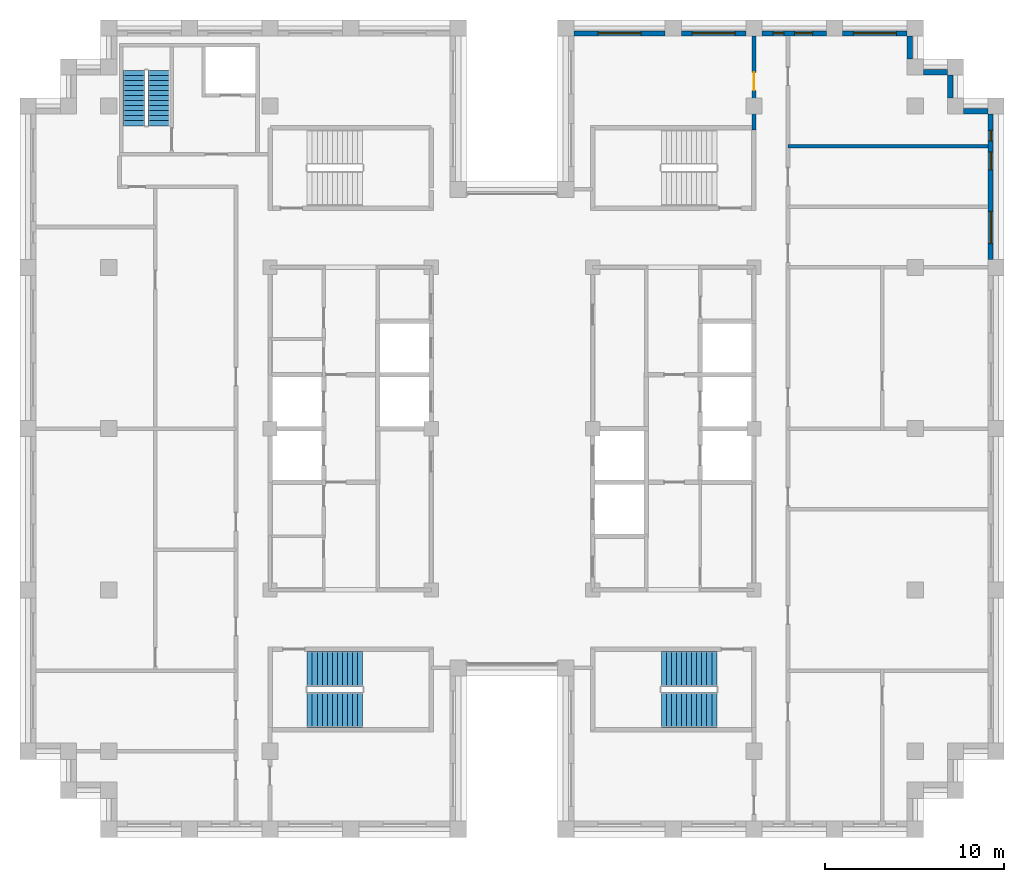
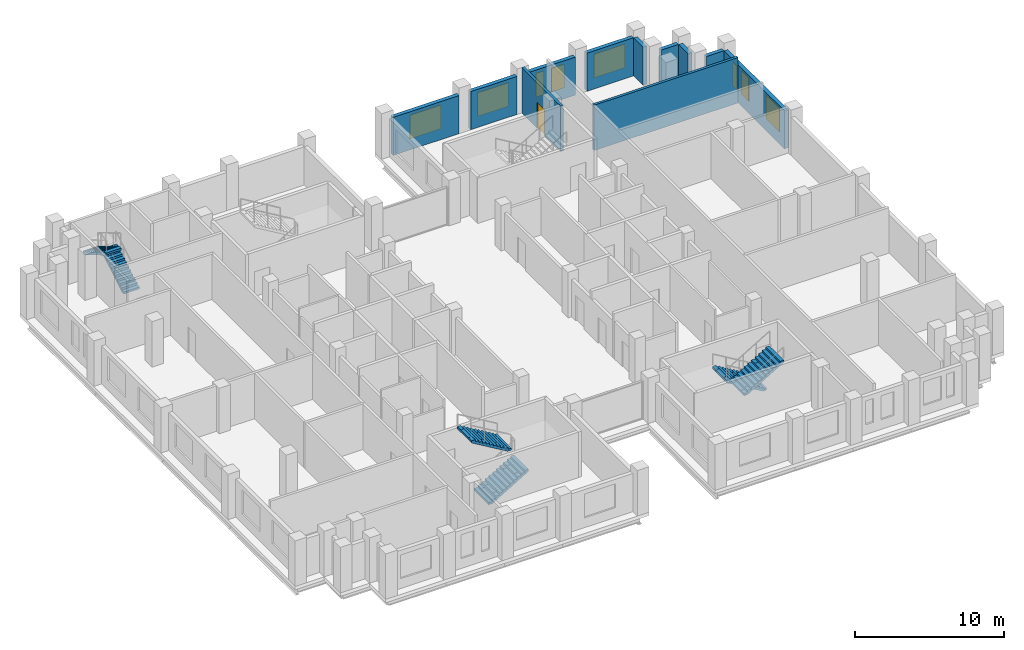
# One storey, part 11 of 13: 11 walls, 8 windows, 6 stair flights, 1 door, 9 openings, 3 elements without a shape of their own.
"""IFC4 building model written with IfcOpenShell, lengths in metres."""

import ifcopenshell
import ifcopenshell.guid

model = None  # the IFC model being written
_history = None  # IfcOwnerHistory: only IFC2X3 demands one
_inside = {}  # id of a spatial element -> (the spatial element, [elements in it])
_under = {}  # id of a project, library or spatial element -> (it, [spatial elements below it])
_declared = {}  # id of a project -> (the project, [libraries it declares])
_typed = {}  # id of a type object -> (the type object, [elements of that type])
_made_of = {}  # id of a material, layer set ... -> (it, [elements and type objects made of it])


def new_model(schema):
    """Start an empty IFC model of exactly this schema.

    Asked for "IFC4X3", IfcOpenShell would pick the latest addendum, in which some entities
    have other attributes; the version numbers below select the first issue.
    IFC2X3 requires an IfcOwnerHistory on every rooted entity: one is made here for all.
    """
    global model, _history
    if schema == "IFC4X3":
        model = ifcopenshell.file(schema_version=(4, 3, 0, 0))
    else:
        model = ifcopenshell.file(schema=schema)
    _inside.clear()
    _under.clear()
    _declared.clear()
    _typed.clear()
    _made_of.clear()
    _history = None
    if model.schema == "IFC2X3":
        org = make("IfcOrganization", Name="unknown")
        user = make(
            "IfcPersonAndOrganization",
            ThePerson=make("IfcPerson", FamilyName="unknown"),
            TheOrganization=org,
        )
        app = make(
            "IfcApplication",
            ApplicationDeveloper=org,
            Version="unknown",
            ApplicationFullName="unknown",
            ApplicationIdentifier="unknown",
        )
        _history = make(
            "IfcOwnerHistory",
            OwningUser=user,
            OwningApplication=app,
            ChangeAction="ADDED",
            CreationDate=0,
        )
    return model


def make(cls, **values):
    """One entity of the class cls with the attributes given. An attribute that is None is left unset."""
    return model.create_entity(
        cls, **{name: value for name, value in values.items() if value is not None}
    )


def rooted(cls, **values):
    """An entity with a GlobalId (a new one), such as an element, a storey or a relation."""
    return make(cls, GlobalId=ifcopenshell.guid.new(), OwnerHistory=_history, **values)


def si_unit(unit_type, name, prefix=None):
    """IfcSIUnit, for example si_unit("LENGTHUNIT", "METRE", prefix="MILLI")."""
    return make("IfcSIUnit", UnitType=unit_type, Prefix=prefix, Name=name)


def assignment(units):
    """IfcUnitAssignment: the units of a project."""
    return None if units is None else make("IfcUnitAssignment", Units=units)


def point(xyz):
    """IfcCartesianPoint."""
    return None if xyz is None else make("IfcCartesianPoint", Coordinates=xyz)


def direction(xyz):
    """IfcDirection."""
    return None if xyz is None else make("IfcDirection", DirectionRatios=xyz)


def frame(location, z_axis=None, x_axis=None):
    """IfcAxis2Placement3D, a coordinate frame: its origin and axes. An axis left out is left unset."""
    return make(
        "IfcAxis2Placement3D",
        Location=point(location),
        Axis=direction(z_axis),
        RefDirection=direction(x_axis),
    )


def frame_2d(location, x_axis=None):
    """IfcAxis2Placement2D, a coordinate frame in the plane: its origin and x axis."""
    return make(
        "IfcAxis2Placement2D", Location=point(location), RefDirection=direction(x_axis)
    )


def origin():
    """The frame at (0, 0, 0) with its axes left unset."""
    return frame((0.0, 0.0, 0.0))


def place(relative_to, where):
    """IfcLocalPlacement: puts the frame where relative to a parent placement (None: the world)."""
    return make(
        "IfcLocalPlacement", PlacementRelTo=relative_to, RelativePlacement=where
    )


def context(
    kind, dimensions, precision=None, world=None, true_north=None, identifier=None
):
    """IfcGeometricRepresentationContext, for example the 3D "Model" context."""
    return make(
        "IfcGeometricRepresentationContext",
        ContextIdentifier=identifier,
        ContextType=kind,
        CoordinateSpaceDimension=dimensions,
        Precision=precision,
        WorldCoordinateSystem=world,
        TrueNorth=true_north,
    )


def subcontext(parent, identifier, kind, view, scale=None):
    """IfcGeometricRepresentationSubContext, for example "Body" below "Model"."""
    return make(
        "IfcGeometricRepresentationSubContext",
        ContextIdentifier=identifier,
        ContextType=kind,
        ParentContext=parent,
        TargetScale=scale,
        TargetView=view,
    )


def project(units=None, contexts=None):
    """IfcProject with its units and contexts."""
    return rooted(
        "IfcProject",
        Name="project",
        RepresentationContexts=contexts,
        UnitsInContext=assignment(units),
    )


def spatial(cls, under=None, at=None, **own):
    """A site, building, storey or space (cls), placed at a placement, below another one or the project."""
    s = rooted(cls, ObjectPlacement=at, **own)
    if under is not None:
        _under.setdefault(under.id(), (under, []))[1].append(s)
    return s


def polyline(points):
    """IfcPolyline through the points."""
    return make("IfcPolyline", Points=[point(p) for p in points])


def profile(cls, at=None, kind="AREA", **sizes):
    """A parametric profile (cls). Its sizes go by their IFC names, for example OverallWidth=200.0."""
    return make(cls, ProfileType=kind, Position=at, **sizes)


def rectangle(**sizes):
    """IfcRectangleProfileDef."""
    return profile("IfcRectangleProfileDef", **sizes)


def outline(outer, holes=None, kind="AREA"):
    """IfcArbitraryClosedProfileDef: a profile drawn as a closed curve; with holes, ...WithVoids."""
    if holes is None:
        return make("IfcArbitraryClosedProfileDef", ProfileType=kind, OuterCurve=outer)
    return make(
        "IfcArbitraryProfileDefWithVoids",
        ProfileType=kind,
        OuterCurve=outer,
        InnerCurves=holes,
    )


def extrude(swept, where, along, depth):
    """IfcExtrudedAreaSolid: the profile swept, set in the frame where, extruded along a direction by depth."""
    return make(
        "IfcExtrudedAreaSolid",
        SweptArea=swept,
        Position=where,
        ExtrudedDirection=direction(along),
        Depth=depth,
    )


def shape(context_of_items, identifier, shape_type, items):
    """IfcShapeRepresentation: the items that make up one representation, for example the "Body"."""
    return make(
        "IfcShapeRepresentation",
        ContextOfItems=context_of_items,
        RepresentationIdentifier=identifier,
        RepresentationType=shape_type,
        Items=items,
    )


def material(Name=None, Category=None):
    """IfcMaterial."""
    return make("IfcMaterial", Name=Name, Category=Category)


def layer(
    of_material, thickness, ventilated=None, Name=None, Category=None, Priority=None
):
    """IfcMaterialLayer: one layer of a wall or slab, of a material (None: an air gap)."""
    return make(
        "IfcMaterialLayer",
        Material=of_material,
        LayerThickness=thickness,
        IsVentilated=ventilated,
        Name=Name,
        Category=Category,
        Priority=Priority,
    )


def layer_set(layers, Name=None):
    """IfcMaterialLayerSet."""
    return make("IfcMaterialLayerSet", MaterialLayers=layers, LayerSetName=Name)


def made_of(thing, what):
    """Note that an element or type object is made of a material, layer set ...; save() writes the relation."""
    if what is not None:
        _made_of.setdefault(what.id(), (what, []))[1].append(thing)
    return thing


def type_object(cls, material=None, **own):
    """A type object (cls), such as IfcWallType, which elements share."""
    return made_of(rooted(cls, **own), material)


def element(
    cls,
    number,
    at=None,
    inside=None,
    cuts=None,
    type_object=None,
    material=None,
    context=None,
    identifier="Body",
    shape_type=None,
    held_by="IfcProductDefinitionShape",
    body=None,
    shapes=None,
    **own,
):
    """One element of the class cls, such as IfcWall. Its Tag is "e" and its number.

    at: its placement. inside: the storey or other place that contains it. cuts: it is an
    opening in that element (IfcRelVoidsElement). A single representation is given by context,
    identifier, shape_type and body (its items); several are given by shapes. held_by: the class
    of the entity that holds the representations. save() writes the other relations.
    """
    e = rooted(cls, Tag="e%d" % number, ObjectPlacement=at, **own)
    if body is not None:
        shapes = [shape(context, identifier, shape_type, body)]
    if shapes is not None:
        e.Representation = make(held_by, Representations=shapes)
    if inside is not None:
        _inside.setdefault(inside.id(), (inside, []))[1].append(e)
    if cuts is not None:
        rooted(
            "IfcRelVoidsElement", RelatingBuildingElement=cuts, RelatedOpeningElement=e
        )
    if type_object is not None:
        _typed.setdefault(type_object.id(), (type_object, []))[1].append(e)
    return made_of(e, material)


def fill(opening, filler):
    """IfcRelFillsElement: the door or window that sits in an opening."""
    return rooted(
        "IfcRelFillsElement",
        RelatingOpeningElement=opening,
        RelatedBuildingElement=filler,
    )


def aggregate(whole, parts):
    """IfcRelAggregates: a whole, such as a stair, and the parts it consists of."""
    return rooted("IfcRelAggregates", RelatingObject=whole, RelatedObjects=parts)


def save(model, path):
    """Write the relations noted so far, then the file.

    IfcRelAggregates (storeys below a building ...), IfcRelContainedInSpatialStructure (elements
    in a storey), IfcRelDefinesByType, IfcRelAssociatesMaterial and IfcRelDeclares: one each for
    every whole, place, type object, material and project.
    """
    for whole, parts in _under.values():
        aggregate(whole, parts)
    for where, things in _inside.values():
        rooted(
            "IfcRelContainedInSpatialStructure",
            RelatedElements=things,
            RelatingStructure=where,
        )
    for kind, things in _typed.values():
        rooted("IfcRelDefinesByType", RelatedObjects=things, RelatingType=kind)
    for what, things in _made_of.values():
        rooted("IfcRelAssociatesMaterial", RelatedObjects=things, RelatingMaterial=what)
    for by, libraries in _declared.values():
        rooted("IfcRelDeclares", RelatingContext=by, RelatedDefinitions=libraries)
    model.write(path)


model = new_model("IFC4")

# Units and contexts
model_context = context("Model", 3, precision=1e-05, world=origin(), true_north=direction((0.0, 1.0)))
body_context = subcontext(model_context, "Body", "Model", "MODEL_VIEW")
ifc_project = project(units=[si_unit("LENGTHUNIT", "METRE"), si_unit("AREAUNIT", "SQUARE_METRE"), si_unit("VOLUMEUNIT", "CUBIC_METRE"), si_unit("PLANEANGLEUNIT", "RADIAN"), si_unit("MASSUNIT", "GRAM", prefix="KILO")], contexts=[model_context])

# Site, building, storey
site_placement = place(None, origin())
site = spatial("IfcSite", under=ifc_project, at=site_placement, CompositionType="ELEMENT")
building_placement = place(site_placement, origin())
building = spatial("IfcBuilding", under=site, at=building_placement, Name="Corbelhall Arena Tower", CompositionType="ELEMENT")
storey_placement = place(building_placement, frame((0.0, 0.0, 258.0)))
storey = spatial("IfcBuildingStorey", under=building, at=storey_placement, Name="L55", CompositionType="ELEMENT", Elevation=258.0)

# Wall, openings, windows
ifc_material_1 = material(Name="Precast concrete C40/50 with granite facing", Category="masonry")
ifc_layer_1 = layer(ifc_material_1, 0.300048828125)
ifc_layer_set_1 = layer_set([ifc_layer_1], Name="EV-IW1 Infill panel 300")
wall_type_1 = type_object("IfcWallType", Name="EV-IW1 Infill panel 300", PredefinedType="SOLIDWALL", material=ifc_layer_set_1)
wall_1_placement = place(storey_placement, frame((26.699951171875, 9.449951171875, 0.0), z_axis=(0.0, 0.0, 1.0), x_axis=(0.0, 1.0, 0.0)))
wall_1 = element("IfcWall", 1, at=wall_1_placement, inside=storey, type_object=wall_type_1, Name="Infill panel IW1", PredefinedType="SOLIDWALL", context=body_context, shape_type="SweptSolid", body=[
    extrude(rectangle(XDim=8.10009765625, YDim=0.300048828125, at=frame_2d((4.050048828125, 0.0))), origin(), (0.0, 0.0, 1.0), 3.1201171875),
])
opening_1_placement = place(wall_1_placement, frame((0.875, 0.0, 0.800048828125)))
opening_1 = element("IfcOpeningElement", 2, at=opening_1_placement, cuts=wall_1, Name="Opening WN8", PredefinedType="OPENING", context=body_context, shape_type="SweptSolid", body=[
    extrude(rectangle(XDim=1.800048828125, YDim=1.949951171875, at=frame_2d((0.89990234375, 0.97509765625))), frame((0.0, 0.14990234375, 0.0), z_axis=(0.0, -1.0, 0.0), x_axis=(1.0, 0.0, 0.0)), (0.0, 0.0, 1.0), 0.300048828125),
])
opening_2_placement = place(wall_1_placement, frame((4.987548828125, 0.0, 0.800048828125)))
opening_2 = element("IfcOpeningElement", 3, at=opening_2_placement, cuts=wall_1, Name="Opening WN6", PredefinedType="OPENING", context=body_context, shape_type="SweptSolid", body=[
    extrude(rectangle(XDim=1.0, YDim=1.949951171875, at=frame_2d((0.5, 0.97509765625))), frame((0.0, 0.14990234375, 0.0), z_axis=(0.0, -1.0, 0.0), x_axis=(1.0, 0.0, 0.0)), (0.0, 0.0, 1.0), 0.300048828125),
])
opening_3_placement = place(wall_1_placement, frame((6.58740234375, 0.0, 0.800048828125)))
opening_3 = element("IfcOpeningElement", 4, at=opening_3_placement, cuts=wall_1, Name="Opening WN5", PredefinedType="OPENING", context=body_context, shape_type="SweptSolid", body=[
    extrude(rectangle(XDim=0.60009765625, YDim=1.949951171875, at=frame_2d((0.300048828125, 0.97509765625))), frame((0.0, 0.14990234375, 0.0), z_axis=(0.0, -1.0, 0.0), x_axis=(1.0, 0.0, 0.0)), (0.0, 0.0, 1.0), 0.300048828125),
])
ifc_material_2 = material(Name="Aluminium black anodised", Category="aluminium")
window_type_1 = type_object("IfcWindowType", Name="EV-WN5 Office window 600", PartitioningType="SINGLE_PANEL", PredefinedType="WINDOW", material=ifc_material_2)
window_1_placement = place(opening_3_placement, origin())
window_1 = element("IfcWindow", 5, at=window_1_placement, inside=storey, type_object=window_type_1, Name="Window WN5", OverallHeight=1.949951171875, OverallWidth=0.60009765625, PartitioningType="SINGLE_PANEL", PredefinedType="WINDOW", context=body_context, shape_type="SweptSolid", body=[
    extrude(rectangle(XDim=0.60009765625, YDim=1.949951171875, at=frame_2d((0.300048828125, 0.97509765625))), frame((0.0, 0.030029296875, 0.0), z_axis=(0.0, -1.0, 0.0), x_axis=(1.0, 0.0, 0.0)), (0.0, 0.0, 1.0), 0.06005859375),
])
fill(opening_3, window_1)
window_type_2 = type_object("IfcWindowType", Name="EV-WN6 Office window 1000", PartitioningType="SINGLE_PANEL", PredefinedType="WINDOW", material=ifc_material_2)
window_2_placement = place(opening_2_placement, origin())
window_2 = element("IfcWindow", 6, at=window_2_placement, inside=storey, type_object=window_type_2, Name="Window WN6", OverallHeight=1.949951171875, OverallWidth=1.0, PartitioningType="SINGLE_PANEL", PredefinedType="WINDOW", context=body_context, shape_type="SweptSolid", body=[
    extrude(rectangle(XDim=1.0, YDim=1.949951171875, at=frame_2d((0.5, 0.97509765625))), frame((0.0, 0.030029296875, 0.0), z_axis=(0.0, -1.0, 0.0), x_axis=(1.0, 0.0, 0.0)), (0.0, 0.0, 1.0), 0.06005859375),
])
fill(opening_2, window_2)
window_type_3 = type_object("IfcWindowType", Name="EV-WN8 Office window 1800", PartitioningType="SINGLE_PANEL", PredefinedType="WINDOW", material=ifc_material_2)
window_3_placement = place(opening_1_placement, origin())
window_3 = element("IfcWindow", 7, at=window_3_placement, inside=storey, type_object=window_type_3, Name="Window WN8", OverallHeight=1.949951171875, OverallWidth=1.800048828125, PartitioningType="SINGLE_PANEL", PredefinedType="WINDOW", context=body_context, shape_type="SweptSolid", body=[
    extrude(rectangle(XDim=1.800048828125, YDim=1.949951171875, at=frame_2d((0.89990234375, 0.97509765625))), frame((0.0, 0.030029296875, 0.0), z_axis=(0.0, -1.0, 0.0), x_axis=(1.0, 0.0, 0.0)), (0.0, 0.0, 1.0), 0.06005859375),
])
fill(opening_1, window_3)

# Walls
wall_2_placement = place(storey_placement, frame((26.550048828125, 17.699951171875, 0.0), z_axis=(0.0, 0.0, 1.0), x_axis=(-1.0, 0.0, 0.0)))
element("IfcWall", 8, at=wall_2_placement, inside=storey, type_object=wall_type_1, Name="Infill panel IW1", PredefinedType="SOLIDWALL", context=body_context, shape_type="SweptSolid", body=[
    extrude(rectangle(XDim=1.35009765625, YDim=0.300048828125, at=frame_2d((0.675048828125, 0.0))), origin(), (0.0, 0.0, 1.0), 3.1201171875),
])
wall_3_placement = place(storey_placement, frame((24.449951171875, 18.449951171875, 0.0), z_axis=(0.0, 0.0, 1.0), x_axis=(0.0, 1.0, 0.0)))
element("IfcWall", 9, at=wall_3_placement, inside=storey, type_object=wall_type_1, Name="Infill panel IW1", PredefinedType="SOLIDWALL", context=body_context, shape_type="SweptSolid", body=[
    extrude(rectangle(XDim=1.275146484375, YDim=0.300048828125, at=frame_2d((0.6376953125, 0.0))), origin(), (0.0, 0.0, 1.0), 3.1201171875),
])
wall_4_placement = place(storey_placement, frame((24.300048828125, 19.875, 0.0), z_axis=(0.0, 0.0, 1.0), x_axis=(-1.0, 0.0, 0.0)))
element("IfcWall", 10, at=wall_4_placement, inside=storey, type_object=wall_type_1, Name="Infill panel IW1", PredefinedType="SOLIDWALL", context=body_context, shape_type="SweptSolid", body=[
    extrude(rectangle(XDim=1.35009765625, YDim=0.300048828125, at=frame_2d((0.675048828125, 0.0))), origin(), (0.0, 0.0, 1.0), 3.1201171875),
])
wall_5_placement = place(storey_placement, frame((22.199951171875, 20.625, 0.0), z_axis=(0.0, 0.0, 1.0), x_axis=(0.0, 1.0, 0.0)))
element("IfcWall", 11, at=wall_5_placement, inside=storey, type_object=wall_type_1, Name="Infill panel IW1", PredefinedType="SOLIDWALL", context=body_context, shape_type="SweptSolid", body=[
    extrude(rectangle(XDim=1.27490234375, YDim=0.300048828125, at=frame_2d((0.637451171875, 0.0))), origin(), (0.0, 0.0, 1.0), 3.1201171875),
])

# Wall, opening, window
wall_6_placement = place(storey_placement, frame((22.050048828125, 22.050048828125, 0.0), z_axis=(0.0, 0.0, 1.0), x_axis=(-1.0, 0.0, 0.0)))
wall_6 = element("IfcWall", 12, at=wall_6_placement, inside=storey, type_object=wall_type_1, Name="Infill panel IW1", PredefinedType="SOLIDWALL", context=body_context, shape_type="SweptSolid", body=[
    extrude(rectangle(XDim=3.60009765625, YDim=0.300048828125, at=frame_2d((1.800048828125, 0.0))), origin(), (0.0, 0.0, 1.0), 3.1201171875),
])
opening_4_placement = place(wall_6_placement, frame((0.60009765625, 0.0, 0.800048828125)))
opening_4 = element("IfcOpeningElement", 13, at=opening_4_placement, cuts=wall_6, Name="Opening WN1", PredefinedType="OPENING", context=body_context, shape_type="SweptSolid", body=[
    extrude(rectangle(XDim=2.39990234375, YDim=1.949951171875, at=frame_2d((1.199951171875, 0.97509765625))), frame((0.0, 0.14990234375, 0.0), z_axis=(0.0, -1.0, 0.0), x_axis=(1.0, 0.0, 0.0)), (0.0, 0.0, 1.0), 0.300048828125),
])
window_type_4 = type_object("IfcWindowType", Name="EV-WN1 Office window", PartitioningType="SINGLE_PANEL", PredefinedType="WINDOW", material=ifc_material_2)
window_4_placement = place(opening_4_placement, origin())
window_4 = element("IfcWindow", 14, at=window_4_placement, inside=storey, type_object=window_type_4, Name="Window WN1", OverallHeight=1.949951171875, OverallWidth=2.39990234375, PartitioningType="SINGLE_PANEL", PredefinedType="WINDOW", context=body_context, shape_type="SweptSolid", body=[
    extrude(rectangle(XDim=2.39990234375, YDim=1.949951171875, at=frame_2d((1.199951171875, 0.97509765625))), frame((0.0, 0.030029296875, 0.0), z_axis=(0.0, -1.0, 0.0), x_axis=(1.0, 0.0, 0.0)), (0.0, 0.0, 1.0), 0.06005859375),
])
fill(opening_4, window_4)

# Wall, openings, windows
wall_7_placement = place(storey_placement, frame((17.550048828125, 22.050048828125, 0.0), z_axis=(0.0, 0.0, 1.0), x_axis=(-1.0, 0.0, 0.0)))
wall_7 = element("IfcWall", 15, at=wall_7_placement, inside=storey, type_object=wall_type_1, Name="Infill panel IW1", PredefinedType="SOLIDWALL", context=body_context, shape_type="SweptSolid", body=[
    extrude(rectangle(XDim=3.60009765625, YDim=0.300048828125, at=frame_2d((1.800048828125, 0.0))), origin(), (0.0, 0.0, 1.0), 3.1201171875),
])
opening_5_placement = place(wall_7_placement, frame((0.77490234375, 0.0, 0.800048828125)))
opening_5 = element("IfcOpeningElement", 16, at=opening_5_placement, cuts=wall_7, Name="Opening WN6", PredefinedType="OPENING", context=body_context, shape_type="SweptSolid", body=[
    extrude(rectangle(XDim=1.0, YDim=1.949951171875, at=frame_2d((0.5, 0.97509765625))), frame((0.0, 0.14990234375, 0.0), z_axis=(0.0, -1.0, 0.0), x_axis=(1.0, 0.0, 0.0)), (0.0, 0.0, 1.0), 0.300048828125),
])
opening_6_placement = place(wall_7_placement, frame((2.375, 0.0, 0.800048828125)))
opening_6 = element("IfcOpeningElement", 17, at=opening_6_placement, cuts=wall_7, Name="Opening WN5", PredefinedType="OPENING", context=body_context, shape_type="SweptSolid", body=[
    extrude(rectangle(XDim=0.60009765625, YDim=1.949951171875, at=frame_2d((0.300048828125, 0.97509765625))), frame((0.0, 0.14990234375, 0.0), z_axis=(0.0, -1.0, 0.0), x_axis=(1.0, 0.0, 0.0)), (0.0, 0.0, 1.0), 0.300048828125),
])
window_5_placement = place(opening_6_placement, origin())
window_5 = element("IfcWindow", 18, at=window_5_placement, inside=storey, type_object=window_type_1, Name="Window WN5", OverallHeight=1.949951171875, OverallWidth=0.60009765625, PartitioningType="SINGLE_PANEL", PredefinedType="WINDOW", context=body_context, shape_type="SweptSolid", body=[
    extrude(rectangle(XDim=0.60009765625, YDim=1.949951171875, at=frame_2d((0.300048828125, 0.97509765625))), frame((0.0, 0.030029296875, 0.0), z_axis=(0.0, -1.0, 0.0), x_axis=(1.0, 0.0, 0.0)), (0.0, 0.0, 1.0), 0.06005859375),
])
fill(opening_6, window_5)
window_6_placement = place(opening_5_placement, origin())
window_6 = element("IfcWindow", 19, at=window_6_placement, inside=storey, type_object=window_type_2, Name="Window WN6", OverallHeight=1.949951171875, OverallWidth=1.0, PartitioningType="SINGLE_PANEL", PredefinedType="WINDOW", context=body_context, shape_type="SweptSolid", body=[
    extrude(rectangle(XDim=1.0, YDim=1.949951171875, at=frame_2d((0.5, 0.97509765625))), frame((0.0, 0.030029296875, 0.0), z_axis=(0.0, -1.0, 0.0), x_axis=(1.0, 0.0, 0.0)), (0.0, 0.0, 1.0), 0.06005859375),
])
fill(opening_5, window_6)

# Wall, opening, window
wall_8_placement = place(storey_placement, frame((13.050048828125, 22.050048828125, 0.0), z_axis=(0.0, 0.0, 1.0), x_axis=(-1.0, 0.0, 0.0)))
wall_8 = element("IfcWall", 20, at=wall_8_placement, inside=storey, type_object=wall_type_1, Name="Infill panel IW1", PredefinedType="SOLIDWALL", context=body_context, shape_type="SweptSolid", body=[
    extrude(rectangle(XDim=3.60009765625, YDim=0.300048828125, at=frame_2d((1.800048828125, 0.0))), origin(), (0.0, 0.0, 1.0), 3.1201171875),
])
opening_7_placement = place(wall_8_placement, frame((0.60009765625, 0.0, 0.800048828125)))
opening_7 = element("IfcOpeningElement", 21, at=opening_7_placement, cuts=wall_8, Name="Opening WN1", PredefinedType="OPENING", context=body_context, shape_type="SweptSolid", body=[
    extrude(rectangle(XDim=2.39990234375, YDim=1.949951171875, at=frame_2d((1.199951171875, 0.97509765625))), frame((0.0, 0.14990234375, 0.0), z_axis=(0.0, -1.0, 0.0), x_axis=(1.0, 0.0, 0.0)), (0.0, 0.0, 1.0), 0.300048828125),
])
window_7_placement = place(opening_7_placement, origin())
window_7 = element("IfcWindow", 22, at=window_7_placement, inside=storey, type_object=window_type_4, Name="Window WN1", OverallHeight=1.949951171875, OverallWidth=2.39990234375, PartitioningType="SINGLE_PANEL", PredefinedType="WINDOW", context=body_context, shape_type="SweptSolid", body=[
    extrude(rectangle(XDim=2.39990234375, YDim=1.949951171875, at=frame_2d((1.199951171875, 0.97509765625))), frame((0.0, 0.030029296875, 0.0), z_axis=(0.0, -1.0, 0.0), x_axis=(1.0, 0.0, 0.0)), (0.0, 0.0, 1.0), 0.06005859375),
])
fill(opening_7, window_7)

wall_9_placement = place(storey_placement, frame((8.550048828125, 22.050048828125, 0.0), z_axis=(0.0, 0.0, 1.0), x_axis=(-1.0, 0.0, 0.0)))
wall_9 = element("IfcWall", 23, at=wall_9_placement, inside=storey, type_object=wall_type_1, Name="Infill panel IW1", PredefinedType="SOLIDWALL", context=body_context, shape_type="SweptSolid", body=[
    extrude(rectangle(XDim=5.10009765625, YDim=0.300048828125, at=frame_2d((2.550048828125, 0.0))), origin(), (0.0, 0.0, 1.0), 3.1201171875),
])
opening_8_placement = place(wall_9_placement, frame((1.35009765625, 0.0, 0.800048828125)))
opening_8 = element("IfcOpeningElement", 24, at=opening_8_placement, cuts=wall_9, Name="Opening WN1", PredefinedType="OPENING", context=body_context, shape_type="SweptSolid", body=[
    extrude(rectangle(XDim=2.39990234375, YDim=1.949951171875, at=frame_2d((1.199951171875, 0.97509765625))), frame((0.0, 0.14990234375, 0.0), z_axis=(0.0, -1.0, 0.0), x_axis=(1.0, 0.0, 0.0)), (0.0, 0.0, 1.0), 0.300048828125),
])
window_8_placement = place(opening_8_placement, origin())
window_8 = element("IfcWindow", 25, at=window_8_placement, inside=storey, type_object=window_type_4, Name="Window WN1", OverallHeight=1.949951171875, OverallWidth=2.39990234375, PartitioningType="SINGLE_PANEL", PredefinedType="WINDOW", context=body_context, shape_type="SweptSolid", body=[
    extrude(rectangle(XDim=2.39990234375, YDim=1.949951171875, at=frame_2d((1.199951171875, 0.97509765625))), frame((0.0, 0.030029296875, 0.0), z_axis=(0.0, -1.0, 0.0), x_axis=(1.0, 0.0, 0.0)), (0.0, 0.0, 1.0), 0.06005859375),
])
fill(opening_8, window_8)

# Wall, opening, door
ifc_material_3 = material(Name="Gypsum board on steel stud, acoustic", Category="steel")
ifc_layer_2 = layer(ifc_material_3, 0.199951171875)
ifc_layer_set_2 = layer_set([ifc_layer_2], Name="IN-W-DM200")
wall_type_2 = type_object("IfcWallType", Name="IN-W-DM200", PredefinedType="PARTITIONING", material=ifc_layer_set_2)
wall_10_placement = place(storey_placement, frame((13.5, 16.675048828125, 0.0), z_axis=(0.0, 0.0, 1.0), x_axis=(0.0, 1.0, 0.0)))
wall_10 = element("IfcWall", 26, at=wall_10_placement, inside=storey, type_object=wall_type_2, Name="Partition 015", PredefinedType="PARTITIONING", context=body_context, shape_type="SweptSolid", body=[
    extrude(rectangle(XDim=5.224853515625, YDim=0.199951171875, at=frame_2d((2.6123046875, 0.0))), origin(), (0.0, 0.0, 1.0), 3.719970703125),
])
opening_9_placement = place(wall_10_placement, frame((2.199951171875, 0.0, 0.0)))
opening_9 = element("IfcOpeningElement", 27, at=opening_9_placement, cuts=wall_10, Name="Opening 17019", PredefinedType="OPENING", context=body_context, shape_type="SweptSolid", body=[
    extrude(rectangle(XDim=1.0, YDim=2.10009765625, at=frame_2d((0.5, 1.050048828125))), frame((0.0, 0.10009765625, 0.0), z_axis=(0.0, -1.0, 0.0), x_axis=(1.0, 0.0, 0.0)), (0.0, 0.0, 1.0), 0.199951171875),
])
ifc_material_4 = material(Name="Steel door set", Category="steel")
door_type = type_object("IfcDoorType", Name="IN-D-SW100", OperationType="NOTDEFINED", PredefinedType="DOOR", material=ifc_material_4)
door_placement = place(opening_9_placement, origin())
door = element("IfcDoor", 28, at=door_placement, inside=storey, type_object=door_type, Name="Door 019", OperationType="SINGLE_SWING_RIGHT", OverallHeight=2.10009765625, OverallWidth=1.0, PredefinedType="DOOR", context=body_context, shape_type="SweptSolid", body=[
    extrude(rectangle(XDim=1.0, YDim=2.10009765625, at=frame_2d((0.5, 1.050048828125))), frame((0.0, 0.02490234375, 0.0), z_axis=(0.0, -1.0, 0.0), x_axis=(1.0, 0.0, 0.0)), (0.0, 0.0, 1.0), 0.050048828125),
])
fill(opening_9, door)

# Wall
wall_11_placement = place(storey_placement, frame((15.39990234375, 15.75, 0.0), z_axis=(0.0, 0.0, 1.0), x_axis=(1.0, 0.0, 0.0)))
element("IfcWall", 29, at=wall_11_placement, inside=storey, type_object=wall_type_2, Name="Partition 021", PredefinedType="PARTITIONING", context=body_context, shape_type="SweptSolid", body=[
    extrude(rectangle(XDim=11.150146484375, YDim=0.199951171875, at=frame_2d((5.5751953125, 0.0))), origin(), (0.0, 0.0, 1.0), 3.719970703125),
])

# Stair, stair flights
ifc_material_5 = material(Name="Concrete C40/50", Category="concrete")
stair_type = type_object("IfcStairType", Name="IN-ST-TOWER", PredefinedType="HALF_TURN_STAIR", material=ifc_material_5)
stair_1_placement = place(storey_placement, origin())
stair_1 = element("IfcStair", 30, at=stair_1_placement, inside=storey, type_object=stair_type, Name="L55 Exit stair ST2", PredefinedType="HALF_TURN_STAIR")
stair_flight_type = type_object("IfcStairFlightType", Name="IN-SFL-RC", PredefinedType="STRAIGHT", material=ifc_material_5)
stair_flight_1_placement = place(storey_placement, frame((-11.425048828125, -15.699951171875, 0.0), z_axis=(0.0, 0.0, 1.0), x_axis=(1.0, 0.0, 0.0)))
stair_flight_1 = element("IfcStairFlight", 31, at=stair_flight_1_placement, type_object=stair_flight_type, Name="ST2 flight 1", NumberOfRisers=12, NumberOfTreads=11, PredefinedType="STRAIGHT", RiserHeight=0.166666667, TreadLength=0.28, context=body_context, shape_type="SweptSolid", body=[
    extrude(outline(polyline([(0.0, 0.0), (0.0, 0.166748046875), (0.280029296875, 0.166748046875), (0.280029296875, 0.333251953125), (0.56005859375, 0.333251953125), (0.56005859375, 0.5), (0.840087890625, 0.5), (0.840087890625, 0.666748046875), (1.1201171875, 0.666748046875), (1.1201171875, 0.833251953125), (1.39990234375, 0.833251953125), (1.39990234375, 1.0), (1.679931640625, 1.0), (1.679931640625, 1.166748046875), (1.9599609375, 1.166748046875), (1.9599609375, 1.333251953125), (2.239990234375, 1.333251953125), (2.239990234375, 1.5), (2.52001953125, 1.5), (2.52001953125, 1.666748046875), (2.800048828125, 1.666748046875), (2.800048828125, 1.833251953125), (3.080078125, 1.833251953125), (3.080078125, 2.0), (3.080078125, 1.658935546875), (0.29296875, 0.0), (0.0, 0.0)])), frame((0.0, 0.97509765625, 0.0), z_axis=(0.0, -1.0, 0.0), x_axis=(1.0, 0.0, 0.0)), (0.0, 0.0, 1.0), 0.449951171875),
    extrude(outline(polyline([(0.0, 0.0), (0.0, 0.166748046875), (0.280029296875, 0.166748046875), (0.280029296875, 0.333251953125), (0.56005859375, 0.333251953125), (0.56005859375, 0.5), (0.840087890625, 0.5), (0.840087890625, 0.666748046875), (1.1201171875, 0.666748046875), (1.1201171875, 0.833251953125), (1.39990234375, 0.833251953125), (1.39990234375, 1.0), (1.679931640625, 1.0), (1.679931640625, 1.166748046875), (1.9599609375, 1.166748046875), (1.9599609375, 1.333251953125), (2.239990234375, 1.333251953125), (2.239990234375, 1.5), (2.52001953125, 1.5), (2.52001953125, 1.666748046875), (2.800048828125, 1.666748046875), (2.800048828125, 1.833251953125), (3.080078125, 1.833251953125), (3.080078125, 2.0), (3.080078125, 1.658935546875), (0.29296875, 0.0), (0.0, 0.0)])), frame((0.0, 0.52099609375, 0.0), z_axis=(0.0, -1.0, 0.0), x_axis=(1.0, 0.0, 0.0)), (0.0, 0.0, 1.0), 1.0419921875),
    extrude(outline(polyline([(0.0, 0.0), (0.0, 0.166748046875), (0.280029296875, 0.166748046875), (0.280029296875, 0.333251953125), (0.56005859375, 0.333251953125), (0.56005859375, 0.5), (0.840087890625, 0.5), (0.840087890625, 0.666748046875), (1.1201171875, 0.666748046875), (1.1201171875, 0.833251953125), (1.39990234375, 0.833251953125), (1.39990234375, 1.0), (1.679931640625, 1.0), (1.679931640625, 1.166748046875), (1.9599609375, 1.166748046875), (1.9599609375, 1.333251953125), (2.239990234375, 1.333251953125), (2.239990234375, 1.5), (2.52001953125, 1.5), (2.52001953125, 1.666748046875), (2.800048828125, 1.666748046875), (2.800048828125, 1.833251953125), (3.080078125, 1.833251953125), (3.080078125, 2.0), (3.080078125, 1.658935546875), (0.29296875, 0.0), (0.0, 0.0)])), frame((0.0, -0.52490234375, 0.0), z_axis=(0.0, -1.0, 0.0), x_axis=(1.0, 0.0, 0.0)), (0.0, 0.0, 1.0), 0.449951171875),
])
stair_flight_2_placement = place(storey_placement, frame((-8.344970703125, -13.39990234375, 2.0), z_axis=(0.0, 0.0, 1.0), x_axis=(-1.0, 0.0, 0.0)))
stair_flight_2 = element("IfcStairFlight", 32, at=stair_flight_2_placement, type_object=stair_flight_type, Name="ST2 flight 2", NumberOfRisers=12, NumberOfTreads=11, PredefinedType="STRAIGHT", RiserHeight=0.166666667, TreadLength=0.28, context=body_context, shape_type="SweptSolid", body=[
    extrude(outline(polyline([(0.0, 0.0), (0.0, 0.166748046875), (0.280029296875, 0.166748046875), (0.280029296875, 0.333251953125), (0.56005859375, 0.333251953125), (0.56005859375, 0.5), (0.840087890625, 0.5), (0.840087890625, 0.666748046875), (1.1201171875, 0.666748046875), (1.1201171875, 0.833251953125), (1.39990234375, 0.833251953125), (1.39990234375, 1.0), (1.679931640625, 1.0), (1.679931640625, 1.166748046875), (1.9599609375, 1.166748046875), (1.9599609375, 1.333251953125), (2.239990234375, 1.333251953125), (2.239990234375, 1.5), (2.52001953125, 1.5), (2.52001953125, 1.666748046875), (2.800048828125, 1.666748046875), (2.800048828125, 1.833251953125), (3.080078125, 1.833251953125), (3.080078125, 2.0), (3.080078125, 1.658935546875), (0.29296875, 0.0), (0.0, 0.0)])), frame((0.0, 0.97509765625, 0.0), z_axis=(0.0, -1.0, 0.0), x_axis=(1.0, 0.0, 0.0)), (0.0, 0.0, 1.0), 0.449951171875),
    extrude(outline(polyline([(0.0, 0.0), (0.0, 0.166748046875), (0.280029296875, 0.166748046875), (0.280029296875, 0.333251953125), (0.56005859375, 0.333251953125), (0.56005859375, 0.5), (0.840087890625, 0.5), (0.840087890625, 0.666748046875), (1.1201171875, 0.666748046875), (1.1201171875, 0.833251953125), (1.39990234375, 0.833251953125), (1.39990234375, 1.0), (1.679931640625, 1.0), (1.679931640625, 1.166748046875), (1.9599609375, 1.166748046875), (1.9599609375, 1.333251953125), (2.239990234375, 1.333251953125), (2.239990234375, 1.5), (2.52001953125, 1.5), (2.52001953125, 1.666748046875), (2.800048828125, 1.666748046875), (2.800048828125, 1.833251953125), (3.080078125, 1.833251953125), (3.080078125, 2.0), (3.080078125, 1.658935546875), (0.29296875, 0.0), (0.0, 0.0)])), frame((0.0, 0.52099609375, 0.0), z_axis=(0.0, -1.0, 0.0), x_axis=(1.0, 0.0, 0.0)), (0.0, 0.0, 1.0), 1.0419921875),
    extrude(outline(polyline([(0.0, 0.0), (0.0, 0.166748046875), (0.280029296875, 0.166748046875), (0.280029296875, 0.333251953125), (0.56005859375, 0.333251953125), (0.56005859375, 0.5), (0.840087890625, 0.5), (0.840087890625, 0.666748046875), (1.1201171875, 0.666748046875), (1.1201171875, 0.833251953125), (1.39990234375, 0.833251953125), (1.39990234375, 1.0), (1.679931640625, 1.0), (1.679931640625, 1.166748046875), (1.9599609375, 1.166748046875), (1.9599609375, 1.333251953125), (2.239990234375, 1.333251953125), (2.239990234375, 1.5), (2.52001953125, 1.5), (2.52001953125, 1.666748046875), (2.800048828125, 1.666748046875), (2.800048828125, 1.833251953125), (3.080078125, 1.833251953125), (3.080078125, 2.0), (3.080078125, 1.658935546875), (0.29296875, 0.0), (0.0, 0.0)])), frame((0.0, -0.52490234375, 0.0), z_axis=(0.0, -1.0, 0.0), x_axis=(1.0, 0.0, 0.0)), (0.0, 0.0, 1.0), 0.449951171875),
])
aggregate(stair_1, [stair_flight_1, stair_flight_2])

stair_2_placement = place(storey_placement, origin())
stair_2 = element("IfcStair", 33, at=stair_2_placement, inside=storey, type_object=stair_type, Name="L55 Exit stair ST4", PredefinedType="HALF_TURN_STAIR")
stair_flight_3_placement = place(storey_placement, frame((11.425048828125, -13.39990234375, 0.0), z_axis=(0.0, 0.0, 1.0), x_axis=(-1.0, 0.0, 0.0)))
stair_flight_3 = element("IfcStairFlight", 34, at=stair_flight_3_placement, type_object=stair_flight_type, Name="ST4 flight 1", NumberOfRisers=12, NumberOfTreads=11, PredefinedType="STRAIGHT", RiserHeight=0.166666667, TreadLength=0.28, context=body_context, shape_type="SweptSolid", body=[
    extrude(outline(polyline([(0.0, 0.0), (0.0, 0.166748046875), (0.280029296875, 0.166748046875), (0.280029296875, 0.333251953125), (0.56005859375, 0.333251953125), (0.56005859375, 0.5), (0.840087890625, 0.5), (0.840087890625, 0.666748046875), (1.1201171875, 0.666748046875), (1.1201171875, 0.833251953125), (1.39990234375, 0.833251953125), (1.39990234375, 1.0), (1.679931640625, 1.0), (1.679931640625, 1.166748046875), (1.9599609375, 1.166748046875), (1.9599609375, 1.333251953125), (2.239990234375, 1.333251953125), (2.239990234375, 1.5), (2.52001953125, 1.5), (2.52001953125, 1.666748046875), (2.800048828125, 1.666748046875), (2.800048828125, 1.833251953125), (3.080078125, 1.833251953125), (3.080078125, 2.0), (3.080078125, 1.658935546875), (0.29296875, 0.0), (0.0, 0.0)])), frame((0.0, 0.97509765625, 0.0), z_axis=(0.0, -1.0, 0.0), x_axis=(1.0, 0.0, 0.0)), (0.0, 0.0, 1.0), 0.449951171875),
    extrude(outline(polyline([(0.0, 0.0), (0.0, 0.166748046875), (0.280029296875, 0.166748046875), (0.280029296875, 0.333251953125), (0.56005859375, 0.333251953125), (0.56005859375, 0.5), (0.840087890625, 0.5), (0.840087890625, 0.666748046875), (1.1201171875, 0.666748046875), (1.1201171875, 0.833251953125), (1.39990234375, 0.833251953125), (1.39990234375, 1.0), (1.679931640625, 1.0), (1.679931640625, 1.166748046875), (1.9599609375, 1.166748046875), (1.9599609375, 1.333251953125), (2.239990234375, 1.333251953125), (2.239990234375, 1.5), (2.52001953125, 1.5), (2.52001953125, 1.666748046875), (2.800048828125, 1.666748046875), (2.800048828125, 1.833251953125), (3.080078125, 1.833251953125), (3.080078125, 2.0), (3.080078125, 1.658935546875), (0.29296875, 0.0), (0.0, 0.0)])), frame((0.0, 0.52099609375, 0.0), z_axis=(0.0, -1.0, 0.0), x_axis=(1.0, 0.0, 0.0)), (0.0, 0.0, 1.0), 1.0419921875),
    extrude(outline(polyline([(0.0, 0.0), (0.0, 0.166748046875), (0.280029296875, 0.166748046875), (0.280029296875, 0.333251953125), (0.56005859375, 0.333251953125), (0.56005859375, 0.5), (0.840087890625, 0.5), (0.840087890625, 0.666748046875), (1.1201171875, 0.666748046875), (1.1201171875, 0.833251953125), (1.39990234375, 0.833251953125), (1.39990234375, 1.0), (1.679931640625, 1.0), (1.679931640625, 1.166748046875), (1.9599609375, 1.166748046875), (1.9599609375, 1.333251953125), (2.239990234375, 1.333251953125), (2.239990234375, 1.5), (2.52001953125, 1.5), (2.52001953125, 1.666748046875), (2.800048828125, 1.666748046875), (2.800048828125, 1.833251953125), (3.080078125, 1.833251953125), (3.080078125, 2.0), (3.080078125, 1.658935546875), (0.29296875, 0.0), (0.0, 0.0)])), frame((0.0, -0.52490234375, 0.0), z_axis=(0.0, -1.0, 0.0), x_axis=(1.0, 0.0, 0.0)), (0.0, 0.0, 1.0), 0.449951171875),
])
stair_flight_4_placement = place(storey_placement, frame((8.344970703125, -15.699951171875, 2.0), z_axis=(0.0, 0.0, 1.0), x_axis=(1.0, 0.0, 0.0)))
stair_flight_4 = element("IfcStairFlight", 35, at=stair_flight_4_placement, type_object=stair_flight_type, Name="ST4 flight 2", NumberOfRisers=12, NumberOfTreads=11, PredefinedType="STRAIGHT", RiserHeight=0.166666667, TreadLength=0.28, context=body_context, shape_type="SweptSolid", body=[
    extrude(outline(polyline([(0.0, 0.0), (0.0, 0.166748046875), (0.280029296875, 0.166748046875), (0.280029296875, 0.333251953125), (0.56005859375, 0.333251953125), (0.56005859375, 0.5), (0.840087890625, 0.5), (0.840087890625, 0.666748046875), (1.1201171875, 0.666748046875), (1.1201171875, 0.833251953125), (1.39990234375, 0.833251953125), (1.39990234375, 1.0), (1.679931640625, 1.0), (1.679931640625, 1.166748046875), (1.9599609375, 1.166748046875), (1.9599609375, 1.333251953125), (2.239990234375, 1.333251953125), (2.239990234375, 1.5), (2.52001953125, 1.5), (2.52001953125, 1.666748046875), (2.800048828125, 1.666748046875), (2.800048828125, 1.833251953125), (3.080078125, 1.833251953125), (3.080078125, 2.0), (3.080078125, 1.658935546875), (0.29296875, 0.0), (0.0, 0.0)])), frame((0.0, 0.97509765625, 0.0), z_axis=(0.0, -1.0, 0.0), x_axis=(1.0, 0.0, 0.0)), (0.0, 0.0, 1.0), 0.449951171875),
    extrude(outline(polyline([(0.0, 0.0), (0.0, 0.166748046875), (0.280029296875, 0.166748046875), (0.280029296875, 0.333251953125), (0.56005859375, 0.333251953125), (0.56005859375, 0.5), (0.840087890625, 0.5), (0.840087890625, 0.666748046875), (1.1201171875, 0.666748046875), (1.1201171875, 0.833251953125), (1.39990234375, 0.833251953125), (1.39990234375, 1.0), (1.679931640625, 1.0), (1.679931640625, 1.166748046875), (1.9599609375, 1.166748046875), (1.9599609375, 1.333251953125), (2.239990234375, 1.333251953125), (2.239990234375, 1.5), (2.52001953125, 1.5), (2.52001953125, 1.666748046875), (2.800048828125, 1.666748046875), (2.800048828125, 1.833251953125), (3.080078125, 1.833251953125), (3.080078125, 2.0), (3.080078125, 1.658935546875), (0.29296875, 0.0), (0.0, 0.0)])), frame((0.0, 0.52099609375, 0.0), z_axis=(0.0, -1.0, 0.0), x_axis=(1.0, 0.0, 0.0)), (0.0, 0.0, 1.0), 1.0419921875),
    extrude(outline(polyline([(0.0, 0.0), (0.0, 0.166748046875), (0.280029296875, 0.166748046875), (0.280029296875, 0.333251953125), (0.56005859375, 0.333251953125), (0.56005859375, 0.5), (0.840087890625, 0.5), (0.840087890625, 0.666748046875), (1.1201171875, 0.666748046875), (1.1201171875, 0.833251953125), (1.39990234375, 0.833251953125), (1.39990234375, 1.0), (1.679931640625, 1.0), (1.679931640625, 1.166748046875), (1.9599609375, 1.166748046875), (1.9599609375, 1.333251953125), (2.239990234375, 1.333251953125), (2.239990234375, 1.5), (2.52001953125, 1.5), (2.52001953125, 1.666748046875), (2.800048828125, 1.666748046875), (2.800048828125, 1.833251953125), (3.080078125, 1.833251953125), (3.080078125, 2.0), (3.080078125, 1.658935546875), (0.29296875, 0.0), (0.0, 0.0)])), frame((0.0, -0.52490234375, 0.0), z_axis=(0.0, -1.0, 0.0), x_axis=(1.0, 0.0, 0.0)), (0.0, 0.0, 1.0), 0.449951171875),
])
aggregate(stair_2, [stair_flight_3, stair_flight_4])

stair_3_placement = place(storey_placement, origin())
stair_3 = element("IfcStair", 36, at=stair_3_placement, inside=storey, type_object=stair_type, Name="L55 Exit stair ST5", PredefinedType="HALF_TURN_STAIR")
stair_flight_5_placement = place(storey_placement, frame((-19.695068359375, 16.89990234375, 0.0), z_axis=(0.0, 0.0, 1.0), x_axis=(0.0, 1.0, 0.0)))
stair_flight_5 = element("IfcStairFlight", 37, at=stair_flight_5_placement, type_object=stair_flight_type, Name="ST5 flight 1", NumberOfRisers=12, NumberOfTreads=11, PredefinedType="STRAIGHT", RiserHeight=0.166666667, TreadLength=0.28, context=body_context, shape_type="SweptSolid", body=[
    extrude(outline(polyline([(0.0, 0.0), (0.0, 0.166748046875), (0.280029296875, 0.166748046875), (0.280029296875, 0.333251953125), (0.56005859375, 0.333251953125), (0.56005859375, 0.5), (0.840087890625, 0.5), (0.840087890625, 0.666748046875), (1.1201171875, 0.666748046875), (1.1201171875, 0.833251953125), (1.39990234375, 0.833251953125), (1.39990234375, 1.0), (1.679931640625, 1.0), (1.679931640625, 1.166748046875), (1.9599609375, 1.166748046875), (1.9599609375, 1.333251953125), (2.239990234375, 1.333251953125), (2.239990234375, 1.5), (2.52001953125, 1.5), (2.52001953125, 1.666748046875), (2.800048828125, 1.666748046875), (2.800048828125, 1.833251953125), (3.080078125, 1.833251953125), (3.080078125, 2.0), (3.080078125, 1.658935546875), (0.29296875, 0.0), (0.0, 0.0)])), frame((0.0, 0.60009765625, 0.0), z_axis=(0.0, -1.0, 0.0), x_axis=(1.0, 0.0, 0.0)), (0.0, 0.0, 1.0), 1.199951171875),
])
stair_flight_6_placement = place(storey_placement, frame((-21.094970703125, 19.97998046875, 2.0), z_axis=(0.0, 0.0, 1.0), x_axis=(0.0, -1.0, 0.0)))
stair_flight_6 = element("IfcStairFlight", 38, at=stair_flight_6_placement, type_object=stair_flight_type, Name="ST5 flight 2", NumberOfRisers=12, NumberOfTreads=11, PredefinedType="STRAIGHT", RiserHeight=0.166666667, TreadLength=0.28, context=body_context, shape_type="SweptSolid", body=[
    extrude(outline(polyline([(0.0, 0.0), (0.0, 0.166748046875), (0.280029296875, 0.166748046875), (0.280029296875, 0.333251953125), (0.56005859375, 0.333251953125), (0.56005859375, 0.5), (0.840087890625, 0.5), (0.840087890625, 0.666748046875), (1.1201171875, 0.666748046875), (1.1201171875, 0.833251953125), (1.39990234375, 0.833251953125), (1.39990234375, 1.0), (1.679931640625, 1.0), (1.679931640625, 1.166748046875), (1.9599609375, 1.166748046875), (1.9599609375, 1.333251953125), (2.239990234375, 1.333251953125), (2.239990234375, 1.5), (2.52001953125, 1.5), (2.52001953125, 1.666748046875), (2.800048828125, 1.666748046875), (2.800048828125, 1.833251953125), (3.080078125, 1.833251953125), (3.080078125, 2.0), (3.080078125, 1.658935546875), (0.29296875, 0.0), (0.0, 0.0)])), frame((0.0, 0.60009765625, 0.0), z_axis=(0.0, -1.0, 0.0), x_axis=(1.0, 0.0, 0.0)), (0.0, 0.0, 1.0), 1.199951171875),
])
aggregate(stair_3, [stair_flight_5, stair_flight_6])

save(model, "model.ifc")
